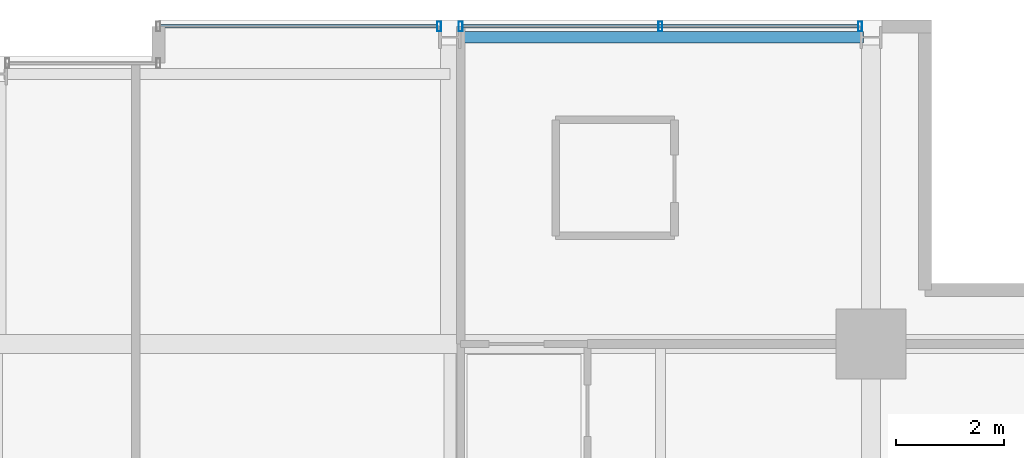
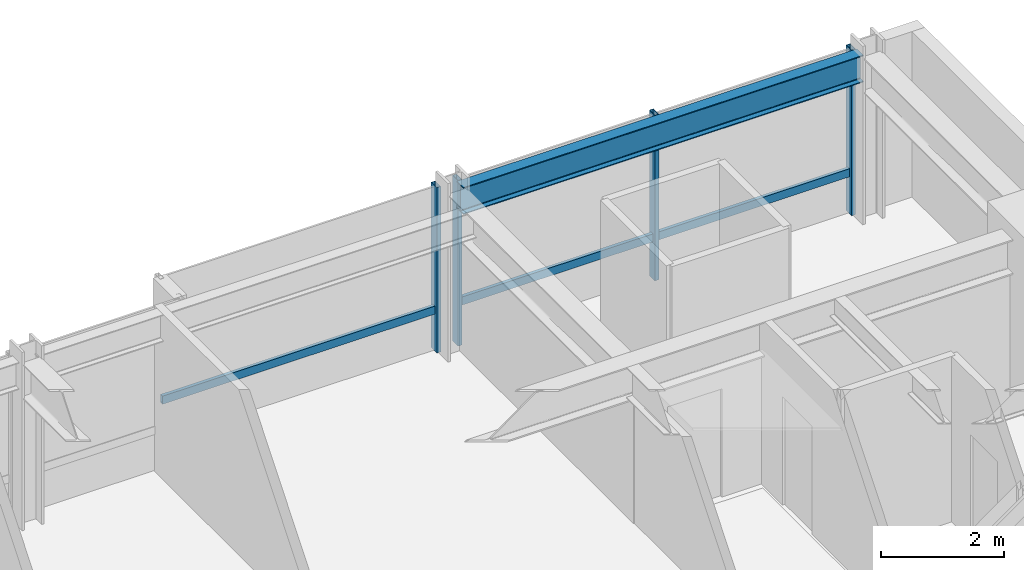
# One storey, part 24 of 32: 6 members, 1 beam, 2 elements without a shape of their own.
"""IFC4 building model written with IfcOpenShell, lengths in metres."""

from ifc_helpers import new_model, si_unit, direction, frame, origin, origin_2d, place, context, subcontext, project, spatial, hollow_rectangle, i_section, extrude, material, layer, layer_set, material_profile, profile_set, type_object, element, aggregate, save


model = new_model("IFC4")

# Units and contexts
model_context = context("Model", 3, precision=1e-05, world=origin(), true_north=direction((0.0, 1.0)))
body_context = subcontext(model_context, "Body", "Model", "MODEL_VIEW")
ifc_project = project(units=[si_unit("LENGTHUNIT", "METRE"), si_unit("AREAUNIT", "SQUARE_METRE"), si_unit("VOLUMEUNIT", "CUBIC_METRE"), si_unit("PLANEANGLEUNIT", "RADIAN"), si_unit("MASSUNIT", "GRAM", prefix="KILO")], contexts=[model_context])

# Site, building, storey
site_placement = place(None, origin())
site = spatial("IfcSite", under=ifc_project, at=site_placement, CompositionType="ELEMENT")
building_placement = place(site_placement, origin())
building = spatial("IfcBuilding", under=site, at=building_placement, Name="Drelvath Grand Hotel", CompositionType="ELEMENT")
storey_placement = place(building_placement, frame((0.0, 0.0, 150.39990234375)))
storey = spatial("IfcBuildingStorey", under=building, at=storey_placement, Name="L38", CompositionType="ELEMENT", Elevation=150.39990234375)

# Curtain wall, member
ifc_material_1 = material(Name="Brushed Pale-Silver Anodised Aluminium Frame", Category="aluminium")
ifc_layer = layer(ifc_material_1, 0.199951171875)
ifc_layer_set = layer_set([ifc_layer], Name="Brushed Pale-Silver Anodised Aluminium Frame")
curtain_wall_type = type_object("IfcCurtainWallType", Name="Stick Curtain Wall CW-04 Brushed Silver Upper-Mid", PredefinedType="NOTDEFINED", material=ifc_layer_set)
curtain_wall_1_placement = place(storey_placement, origin())
curtain_wall_1 = element("IfcCurtainWall", 1, at=curtain_wall_1_placement, inside=storey, type_object=curtain_wall_type, Name="L38 CW-04 Curtain Wall CW04-L38-NE1", PredefinedType="NOTDEFINED")
ifc_material_profile_1 = material_profile(ifc_material_1, hollow_rectangle(XDim=0.06494140625, YDim=0.159912109375, WallThickness=0.00390625, at=origin_2d()), Name="HSS160X65X4")
ifc_profile_set_1 = profile_set([ifc_material_profile_1], Name="Brushed Pale-Silver Anodised Aluminium Frame")
member_type_1 = type_object("IfcMemberType", Name="Curtain Wall Horizontal Transom CW-04 HSS160X65X4", PredefinedType="USERDEFINED", material=ifc_profile_set_1)
member_1_placement = place(storey_placement, frame((3.0400390625, 49.080078125, 0.822509765625), z_axis=(1.0, 0.0, 0.0), x_axis=(0.0, 1.0, 0.0)))
member_1 = element("IfcMember", 2, at=member_1_placement, type_object=member_type_1, Name="CW04-L38-NE1 Sill Transom", ObjectType="TRANSOM", PredefinedType="USERDEFINED", context=body_context, shape_type="SweptSolid", body=[
    extrude(hollow_rectangle(XDim=0.06494140625, YDim=0.159912109375, WallThickness=0.00390625, at=origin_2d()), origin(), (0.0, 0.0, 1.0), 5.119873046875),
])

curtain_wall_2_placement = place(storey_placement, origin())
curtain_wall_2 = element("IfcCurtainWall", 3, at=curtain_wall_2_placement, inside=storey, type_object=curtain_wall_type, Name="L38 CW-04 Curtain Wall CW04-L38-NE2", PredefinedType="NOTDEFINED")
member_2_placement = place(storey_placement, frame((8.64013671875, 49.080078125, 0.822509765625), z_axis=(1.0, 0.0, 0.0), x_axis=(0.0, 1.0, 0.0)))
member_2 = element("IfcMember", 4, at=member_2_placement, type_object=member_type_1, Name="CW04-L38-NE2 Sill Transom", ObjectType="TRANSOM", PredefinedType="USERDEFINED", context=body_context, shape_type="SweptSolid", body=[
    extrude(hollow_rectangle(XDim=0.06494140625, YDim=0.159912109375, WallThickness=0.00390625, at=origin_2d()), origin(), (0.0, 0.0, 1.0), 7.31982421875),
])

# Member
ifc_material_profile_2 = material_profile(ifc_material_1, hollow_rectangle(XDim=0.074951171875, YDim=0.179931640625, WallThickness=0.0048828125, at=origin_2d()), Name="HSS180X75X5")
ifc_profile_set_2 = profile_set([ifc_material_profile_2], Name="Brushed Pale-Silver Anodised Aluminium Frame")
member_type_2 = type_object("IfcMemberType", Name="Curtain Wall Vertical Mullion CW-04 HSS180X75X5", PredefinedType="MULLION", material=ifc_profile_set_2)
member_3_placement = place(storey_placement, frame((8.199951171875, 49.080078125, 0.0), z_axis=(0.0, 0.0, 1.0), x_axis=(1.0, 0.0, 0.0)))
member_3 = element("IfcMember", 5, at=member_3_placement, type_object=member_type_2, Name="CW04-L38-NE1 Mullion 2", PredefinedType="MULLION", context=body_context, shape_type="SweptSolid", body=[
    extrude(hollow_rectangle(XDim=0.074951171875, YDim=0.179931640625, WallThickness=0.0048828125, at=origin_2d()), origin(), (0.0, 0.0, 1.0), 3.2900390625),
])

aggregate(curtain_wall_1, [member_3, member_1])

member_4_placement = place(storey_placement, frame((8.60009765625, 49.080078125, 0.0), z_axis=(0.0, 0.0, 1.0), x_axis=(1.0, 0.0, 0.0)))
member_4 = element("IfcMember", 6, at=member_4_placement, type_object=member_type_2, Name="CW04-L38-NE2 Mullion 1", PredefinedType="MULLION", context=body_context, shape_type="SweptSolid", body=[
    extrude(hollow_rectangle(XDim=0.074951171875, YDim=0.179931640625, WallThickness=0.0048828125, at=origin_2d()), origin(), (0.0, 0.0, 1.0), 3.2900390625),
])

member_5_placement = place(storey_placement, frame((12.300048828125, 49.080078125, 0.0), z_axis=(0.0, 0.0, 1.0), x_axis=(1.0, 0.0, 0.0)))
member_5 = element("IfcMember", 7, at=member_5_placement, type_object=member_type_2, Name="CW04-L38-NE2 Mullion 2", PredefinedType="MULLION", context=body_context, shape_type="SweptSolid", body=[
    extrude(hollow_rectangle(XDim=0.074951171875, YDim=0.179931640625, WallThickness=0.0048828125, at=origin_2d()), origin(), (0.0, 0.0, 1.0), 3.2900390625),
])

member_6_placement = place(storey_placement, frame((16.0, 49.080078125, 0.0), z_axis=(0.0, 0.0, 1.0), x_axis=(1.0, 0.0, 0.0)))
member_6 = element("IfcMember", 8, at=member_6_placement, type_object=member_type_2, Name="CW04-L38-NE2 Mullion 3", PredefinedType="MULLION", context=body_context, shape_type="SweptSolid", body=[
    extrude(hollow_rectangle(XDim=0.074951171875, YDim=0.179931640625, WallThickness=0.0048828125, at=origin_2d()), origin(), (0.0, 0.0, 1.0), 3.2900390625),
])

aggregate(curtain_wall_2, [member_4, member_5, member_6, member_2])

# Beam
ifc_material_2 = material(Name="Steel ASTM A992 Gr 50", Category="steel")
ifc_material_profile_3 = material_profile(ifc_material_2, i_section(OverallWidth=0.210205078125, OverallDepth=0.53662109375, WebThickness=0.010986328125, FlangeThickness=0.017333984375, FilletRadius=0.01806640625, at=origin_2d()), Name="W21X68")
ifc_profile_set_3 = profile_set([ifc_material_profile_3], Name="Steel ASTM A992 Gr 50")
beam_type = type_object("IfcBeamType", Name="Perimeter Spandrel Beam W21X68", PredefinedType="SPANDREL", material=ifc_profile_set_3)
beam_placement = place(storey_placement, frame((8.5400390625, 48.8798828125, 3.021728515625), z_axis=(1.0, 0.0, 0.0), x_axis=(0.0, 1.0, 0.0)))
element("IfcBeam", 9, at=beam_placement, inside=storey, type_object=beam_type, Name="L38 Spandrel North E", PredefinedType="SPANDREL", context=body_context, shape_type="SweptSolid", body=[
    extrude(i_section(OverallWidth=0.210205078125, OverallDepth=0.53662109375, WebThickness=0.010986328125, FlangeThickness=0.017333984375, FilletRadius=0.01806640625, at=origin_2d()), origin(), (0.0, 0.0, 1.0), 7.52001953125),
])

save(model, "model.ifc")
